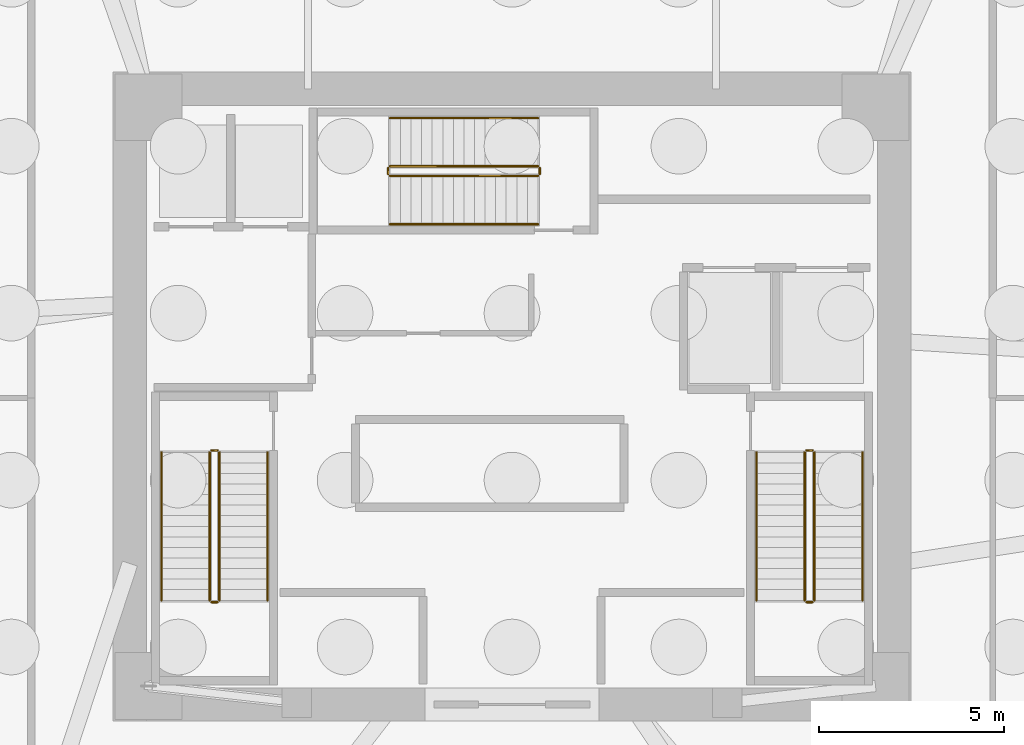
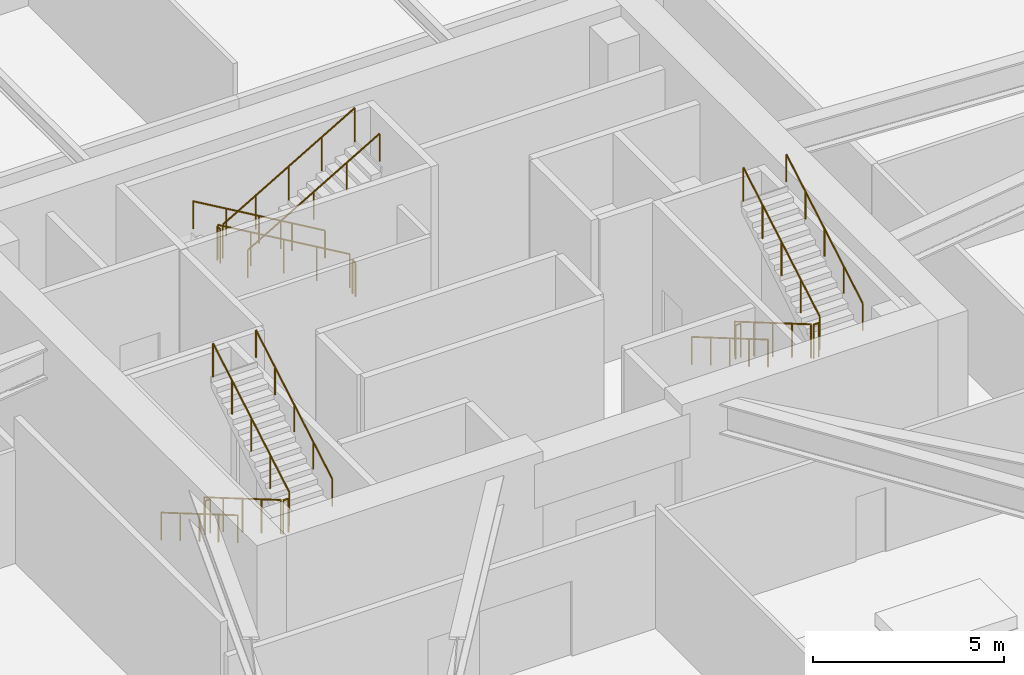
# One storey, part 7 of 8: 18 railings.
"""IFC4 building model written with IfcOpenShell, lengths in metres."""

from ifc_helpers import new_model, si_unit, direction, frame, origin, origin_2d, place, context, subcontext, project, spatial, circle, extrude, material, type_object, element, save


model = new_model("IFC4")

# Units and contexts
model_context = context("Model", 3, precision=1e-05, world=origin(), true_north=direction((0.0, 1.0)))
body_context = subcontext(model_context, "Body", "Model", "MODEL_VIEW")
ifc_project = project(units=[si_unit("LENGTHUNIT", "METRE"), si_unit("AREAUNIT", "SQUARE_METRE"), si_unit("VOLUMEUNIT", "CUBIC_METRE"), si_unit("PLANEANGLEUNIT", "RADIAN"), si_unit("MASSUNIT", "GRAM", prefix="KILO")], contexts=[model_context])

# Site, building, storey
site_placement = place(None, origin())
site = spatial("IfcSite", under=ifc_project, at=site_placement, CompositionType="ELEMENT")
building_placement = place(site_placement, origin())
building = spatial("IfcBuilding", under=site, at=building_placement, Name="Durnholm Broadcast Tower", CompositionType="ELEMENT")
storey_placement = place(building_placement, frame((0.0, 0.0, -10.0)))
storey = spatial("IfcBuildingStorey", under=building, at=storey_placement, Name="B02", CompositionType="ELEMENT", Elevation=-10.0)

# Railings
ifc_material_1 = material(Name="Painted Tubular Steel Stair Guardrail", Category="steel")
railing_type_1 = type_object("IfcRailingType", Name="RAIL-ST-GRD", PredefinedType="GUARDRAIL", material=ifc_material_1)
railing_1_placement = place(storey_placement, frame((-8.14990234375, -1.5, 0.166748046875)))
element("IfcRailing", 1, at=railing_1_placement, inside=storey, type_object=railing_type_1, Name="B02 ST-1 stair guard 1", PredefinedType="GUARDRAIL", context=body_context, shape_type="SweptSolid", body=[
    extrude(circle(Radius=0.02392578125, at=origin_2d()), frame((0.0, 0.0, 1.076171875), z_axis=(0.0, -0.863236243904, 0.504800145811), x_axis=(1.0, 0.0, 0.0)), (0.0, 0.0, 1.0), 4.6220703125),
    extrude(circle(Radius=0.02099609375, at=origin_2d()), origin(), (0.0, 0.0, 1.0), 1.052001953125),
    extrude(circle(Radius=0.02099609375, at=origin_2d()), frame((0.0, -0.99755859375, 0.583251953125)), (0.0, 0.0, 1.0), 1.052001953125),
    extrude(circle(Radius=0.02099609375, at=origin_2d()), frame((0.0, -1.9951171875, 1.16650390625)), (0.0, 0.0, 1.0), 1.052001953125),
    extrude(circle(Radius=0.02099609375, at=origin_2d()), frame((0.0, -2.992431640625, 1.75)), (0.0, 0.0, 1.0), 1.052001953125),
    extrude(circle(Radius=0.02099609375, at=origin_2d()), frame((0.0, -3.989990234375, 2.333251953125)), (0.0, 0.0, 1.0), 1.052001953125),
])
railing_2_placement = place(storey_placement, frame((-8.10009765625, -5.5400390625, 2.5)))
element("IfcRailing", 2, at=railing_2_placement, inside=storey, type_object=railing_type_1, Name="B02 ST-1 stair guard 2", PredefinedType="GUARDRAIL", context=body_context, shape_type="SweptSolid", body=[
    extrude(circle(Radius=0.02392578125, at=origin_2d()), frame((0.0, 0.0, 1.076171875), z_axis=(1.0, 0.0, 0.0), x_axis=(0.0, 1.0, 0.0)), (0.0, 0.0, 1.0), 0.16015625),
    extrude(circle(Radius=0.02099609375, at=origin_2d()), origin(), (0.0, 0.0, 1.0), 1.052001953125),
    extrude(circle(Radius=0.02099609375, at=origin_2d()), frame((0.16015625, 0.0, 0.0)), (0.0, 0.0, 1.0), 1.052001953125),
])
railing_3_placement = place(storey_placement, frame((-7.889892578125, -5.489990234375, 2.666748046875)))
element("IfcRailing", 3, at=railing_3_placement, inside=storey, type_object=railing_type_1, Name="B02 ST-1 stair guard 3", PredefinedType="GUARDRAIL", context=body_context, shape_type="SweptSolid", body=[
    extrude(circle(Radius=0.02392578125, at=origin_2d()), frame((0.0, 0.0, 1.076171875), z_axis=(0.0, 0.863236243904, 0.504800145811), x_axis=(-1.0, 0.0, 0.0)), (0.0, 0.0, 1.0), 4.6220703125),
    extrude(circle(Radius=0.02099609375, at=origin_2d()), origin(), (0.0, 0.0, 1.0), 1.052001953125),
    extrude(circle(Radius=0.02099609375, at=origin_2d()), frame((0.0, 0.99755859375, 0.583251953125)), (0.0, 0.0, 1.0), 1.052001953125),
    extrude(circle(Radius=0.02099609375, at=origin_2d()), frame((0.0, 1.9951171875, 1.16650390625)), (0.0, 0.0, 1.0), 1.052001953125),
    extrude(circle(Radius=0.02099609375, at=origin_2d()), frame((0.0, 2.992431640625, 1.75)), (0.0, 0.0, 1.0), 1.052001953125),
    extrude(circle(Radius=0.02099609375, at=origin_2d()), frame((0.0, 3.989990234375, 2.333251953125)), (0.0, 0.0, 1.0), 1.052001953125),
])
railing_4_placement = place(storey_placement, frame((-8.10009765625, -1.449951171875, 0.0)))
element("IfcRailing", 4, at=railing_4_placement, inside=storey, type_object=railing_type_1, Name="B02 ST-1 stair guard 4", PredefinedType="GUARDRAIL", context=body_context, shape_type="SweptSolid", body=[
    extrude(circle(Radius=0.02392578125, at=origin_2d()), frame((0.0, 0.0, 1.076171875), z_axis=(1.0, 0.0, 0.0), x_axis=(0.0, 1.0, 0.0)), (0.0, 0.0, 1.0), 0.16015625),
    extrude(circle(Radius=0.02099609375, at=origin_2d()), origin(), (0.0, 0.0, 1.0), 1.052001953125),
    extrude(circle(Radius=0.02099609375, at=origin_2d()), frame((0.16015625, 0.0, 0.0)), (0.0, 0.0, 1.0), 1.052001953125),
])
railing_5_placement = place(storey_placement, frame((7.889892578125, -1.5, 0.166748046875)))
element("IfcRailing", 5, at=railing_5_placement, inside=storey, type_object=railing_type_1, Name="B02 ST-2 stair guard 1", PredefinedType="GUARDRAIL", context=body_context, shape_type="SweptSolid", body=[
    extrude(circle(Radius=0.02392578125, at=origin_2d()), frame((0.0, 0.0, 1.076171875), z_axis=(0.0, -0.863236243904, 0.504800145811), x_axis=(1.0, 0.0, 0.0)), (0.0, 0.0, 1.0), 4.6220703125),
    extrude(circle(Radius=0.02099609375, at=origin_2d()), origin(), (0.0, 0.0, 1.0), 1.052001953125),
    extrude(circle(Radius=0.02099609375, at=origin_2d()), frame((0.0, -0.99755859375, 0.583251953125)), (0.0, 0.0, 1.0), 1.052001953125),
    extrude(circle(Radius=0.02099609375, at=origin_2d()), frame((0.0, -1.9951171875, 1.16650390625)), (0.0, 0.0, 1.0), 1.052001953125),
    extrude(circle(Radius=0.02099609375, at=origin_2d()), frame((0.0, -2.992431640625, 1.75)), (0.0, 0.0, 1.0), 1.052001953125),
    extrude(circle(Radius=0.02099609375, at=origin_2d()), frame((0.0, -3.989990234375, 2.333251953125)), (0.0, 0.0, 1.0), 1.052001953125),
])
railing_6_placement = place(storey_placement, frame((7.93994140625, -5.5400390625, 2.5)))
element("IfcRailing", 6, at=railing_6_placement, inside=storey, type_object=railing_type_1, Name="B02 ST-2 stair guard 2", PredefinedType="GUARDRAIL", context=body_context, shape_type="SweptSolid", body=[
    extrude(circle(Radius=0.02392578125, at=origin_2d()), frame((0.0, 0.0, 1.076171875), z_axis=(1.0, 0.0, 0.0), x_axis=(0.0, 1.0, 0.0)), (0.0, 0.0, 1.0), 0.16015625),
    extrude(circle(Radius=0.02099609375, at=origin_2d()), origin(), (0.0, 0.0, 1.0), 1.052001953125),
    extrude(circle(Radius=0.02099609375, at=origin_2d()), frame((0.16015625, 0.0, 0.0)), (0.0, 0.0, 1.0), 1.052001953125),
])
railing_7_placement = place(storey_placement, frame((8.14990234375, -5.489990234375, 2.666748046875)))
element("IfcRailing", 7, at=railing_7_placement, inside=storey, type_object=railing_type_1, Name="B02 ST-2 stair guard 3", PredefinedType="GUARDRAIL", context=body_context, shape_type="SweptSolid", body=[
    extrude(circle(Radius=0.02392578125, at=origin_2d()), frame((0.0, 0.0, 1.076171875), z_axis=(0.0, 0.863236243904, 0.504800145811), x_axis=(-1.0, 0.0, 0.0)), (0.0, 0.0, 1.0), 4.6220703125),
    extrude(circle(Radius=0.02099609375, at=origin_2d()), origin(), (0.0, 0.0, 1.0), 1.052001953125),
    extrude(circle(Radius=0.02099609375, at=origin_2d()), frame((0.0, 0.99755859375, 0.583251953125)), (0.0, 0.0, 1.0), 1.052001953125),
    extrude(circle(Radius=0.02099609375, at=origin_2d()), frame((0.0, 1.9951171875, 1.16650390625)), (0.0, 0.0, 1.0), 1.052001953125),
    extrude(circle(Radius=0.02099609375, at=origin_2d()), frame((0.0, 2.992431640625, 1.75)), (0.0, 0.0, 1.0), 1.052001953125),
    extrude(circle(Radius=0.02099609375, at=origin_2d()), frame((0.0, 3.989990234375, 2.333251953125)), (0.0, 0.0, 1.0), 1.052001953125),
])
railing_8_placement = place(storey_placement, frame((7.93994140625, -1.449951171875, 0.0)))
element("IfcRailing", 8, at=railing_8_placement, inside=storey, type_object=railing_type_1, Name="B02 ST-2 stair guard 4", PredefinedType="GUARDRAIL", context=body_context, shape_type="SweptSolid", body=[
    extrude(circle(Radius=0.02392578125, at=origin_2d()), frame((0.0, 0.0, 1.076171875), z_axis=(1.0, 0.0, 0.0), x_axis=(0.0, 1.0, 0.0)), (0.0, 0.0, 1.0), 0.16015625),
    extrude(circle(Radius=0.02099609375, at=origin_2d()), origin(), (0.0, 0.0, 1.0), 1.052001953125),
    extrude(circle(Radius=0.02099609375, at=origin_2d()), frame((0.16015625, 0.0, 0.0)), (0.0, 0.0, 1.0), 1.052001953125),
])
railing_9_placement = place(storey_placement, frame((0.699951171875, 6.2099609375, 0.166748046875)))
element("IfcRailing", 9, at=railing_9_placement, inside=storey, type_object=railing_type_1, Name="B02 ST-3 stair guard 1", PredefinedType="GUARDRAIL", context=body_context, shape_type="SweptSolid", body=[
    extrude(circle(Radius=0.02392578125, at=origin_2d()), frame((0.0, 0.0, 1.076171875), z_axis=(-0.863236243904, 0.0, 0.504800145811), x_axis=(0.0, -1.0, 0.0)), (0.0, 0.0, 1.0), 4.6220703125),
    extrude(circle(Radius=0.02099609375, at=origin_2d()), origin(), (0.0, 0.0, 1.0), 1.052001953125),
    extrude(circle(Radius=0.02099609375, at=origin_2d()), frame((-0.99755859375, 0.0, 0.583251953125)), (0.0, 0.0, 1.0), 1.052001953125),
    extrude(circle(Radius=0.02099609375, at=origin_2d()), frame((-1.9951171875, 0.0, 1.16650390625)), (0.0, 0.0, 1.0), 1.052001953125),
    extrude(circle(Radius=0.02099609375, at=origin_2d()), frame((-2.992431640625, 0.0, 1.75)), (0.0, 0.0, 1.0), 1.052001953125),
    extrude(circle(Radius=0.02099609375, at=origin_2d()), frame((-3.989990234375, 0.0, 2.333251953125)), (0.0, 0.0, 1.0), 1.052001953125),
])
railing_10_placement = place(storey_placement, frame((-3.340087890625, 6.159912109375, 2.5)))
element("IfcRailing", 10, at=railing_10_placement, inside=storey, type_object=railing_type_1, Name="B02 ST-3 stair guard 2", PredefinedType="GUARDRAIL", context=body_context, shape_type="SweptSolid", body=[
    extrude(circle(Radius=0.02392578125, at=origin_2d()), frame((0.0, 0.0, 1.076171875), z_axis=(0.0, -1.0, 0.0), x_axis=(1.0, 0.0, 0.0)), (0.0, 0.0, 1.0), 0.159912109375),
    extrude(circle(Radius=0.02099609375, at=origin_2d()), origin(), (0.0, 0.0, 1.0), 1.052001953125),
    extrude(circle(Radius=0.02099609375, at=origin_2d()), frame((0.0, -0.159912109375, 0.0)), (0.0, 0.0, 1.0), 1.052001953125),
])
railing_11_placement = place(storey_placement, frame((-3.2900390625, 5.949951171875, 2.666748046875)))
element("IfcRailing", 11, at=railing_11_placement, inside=storey, type_object=railing_type_1, Name="B02 ST-3 stair guard 3", PredefinedType="GUARDRAIL", context=body_context, shape_type="SweptSolid", body=[
    extrude(circle(Radius=0.02392578125, at=origin_2d()), frame((0.0, 0.0, 1.076171875), z_axis=(0.863236243904, 0.0, 0.504800145811), x_axis=(0.0, 1.0, 0.0)), (0.0, 0.0, 1.0), 4.6220703125),
    extrude(circle(Radius=0.02099609375, at=origin_2d()), origin(), (0.0, 0.0, 1.0), 1.052001953125),
    extrude(circle(Radius=0.02099609375, at=origin_2d()), frame((0.99755859375, 0.0, 0.583251953125)), (0.0, 0.0, 1.0), 1.052001953125),
    extrude(circle(Radius=0.02099609375, at=origin_2d()), frame((1.9951171875, 0.0, 1.16650390625)), (0.0, 0.0, 1.0), 1.052001953125),
    extrude(circle(Radius=0.02099609375, at=origin_2d()), frame((2.992431640625, 0.0, 1.75)), (0.0, 0.0, 1.0), 1.052001953125),
    extrude(circle(Radius=0.02099609375, at=origin_2d()), frame((3.989990234375, 0.0, 2.333251953125)), (0.0, 0.0, 1.0), 1.052001953125),
])
railing_12_placement = place(storey_placement, frame((0.75, 6.159912109375, 0.0)))
element("IfcRailing", 12, at=railing_12_placement, inside=storey, type_object=railing_type_1, Name="B02 ST-3 stair guard 4", PredefinedType="GUARDRAIL", context=body_context, shape_type="SweptSolid", body=[
    extrude(circle(Radius=0.02392578125, at=origin_2d()), frame((0.0, 0.0, 1.076171875), z_axis=(0.0, -1.0, 0.0), x_axis=(1.0, 0.0, 0.0)), (0.0, 0.0, 1.0), 0.159912109375),
    extrude(circle(Radius=0.02099609375, at=origin_2d()), origin(), (0.0, 0.0, 1.0), 1.052001953125),
    extrude(circle(Radius=0.02099609375, at=origin_2d()), frame((0.0, -0.159912109375, 0.0)), (0.0, 0.0, 1.0), 1.052001953125),
])
ifc_material_2 = material(Name="Brushed Stainless Steel Handrail", Category="steel")
railing_type_2 = type_object("IfcRailingType", Name="RAIL-ST-HND", PredefinedType="HANDRAIL", material=ifc_material_2)
railing_13_placement = place(storey_placement, frame((-9.449951171875, -1.5, 0.333251953125)))
element("IfcRailing", 13, at=railing_13_placement, inside=storey, type_object=railing_type_2, Name="B02 ST-1 stair handrail 1", PredefinedType="HANDRAIL", context=body_context, shape_type="SweptSolid", body=[
    extrude(circle(Radius=0.02392578125, at=origin_2d()), frame((0.0, 0.0, 0.8759765625), z_axis=(0.0, -0.86321322671, 0.50483950443), x_axis=(1.0, 0.0, 0.0)), (0.0, 0.0, 1.0), 4.622314453125),
    extrude(circle(Radius=0.02099609375, at=origin_2d()), origin(), (0.0, 0.0, 1.0), 0.851806640625),
    extrude(circle(Radius=0.02099609375, at=origin_2d()), frame((0.0, -0.99755859375, 0.58349609375)), (0.0, 0.0, 1.0), 0.851806640625),
    extrude(circle(Radius=0.02099609375, at=origin_2d()), frame((0.0, -1.9951171875, 1.166748046875)), (0.0, 0.0, 1.0), 0.851806640625),
    extrude(circle(Radius=0.02099609375, at=origin_2d()), frame((0.0, -2.992431640625, 1.75)), (0.0, 0.0, 1.0), 0.851806640625),
    extrude(circle(Radius=0.02099609375, at=origin_2d()), frame((0.0, -3.989990234375, 2.33349609375)), (0.0, 0.0, 1.0), 0.851806640625),
])
railing_14_placement = place(storey_placement, frame((-6.590087890625, -5.489990234375, 2.833251953125)))
element("IfcRailing", 14, at=railing_14_placement, inside=storey, type_object=railing_type_2, Name="B02 ST-1 stair handrail 2", PredefinedType="HANDRAIL", context=body_context, shape_type="SweptSolid", body=[
    extrude(circle(Radius=0.02392578125, at=origin_2d()), frame((0.0, 0.0, 0.8759765625), z_axis=(0.0, 0.86321322671, 0.50483950443), x_axis=(-1.0, 0.0, 0.0)), (0.0, 0.0, 1.0), 4.622314453125),
    extrude(circle(Radius=0.02099609375, at=origin_2d()), origin(), (0.0, 0.0, 1.0), 0.851806640625),
    extrude(circle(Radius=0.02099609375, at=origin_2d()), frame((0.0, 0.99755859375, 0.58349609375)), (0.0, 0.0, 1.0), 0.851806640625),
    extrude(circle(Radius=0.02099609375, at=origin_2d()), frame((0.0, 1.9951171875, 1.166748046875)), (0.0, 0.0, 1.0), 0.851806640625),
    extrude(circle(Radius=0.02099609375, at=origin_2d()), frame((0.0, 2.992431640625, 1.75)), (0.0, 0.0, 1.0), 0.851806640625),
    extrude(circle(Radius=0.02099609375, at=origin_2d()), frame((0.0, 3.989990234375, 2.33349609375)), (0.0, 0.0, 1.0), 0.851806640625),
])
railing_15_placement = place(storey_placement, frame((6.590087890625, -1.5, 0.333251953125)))
element("IfcRailing", 15, at=railing_15_placement, inside=storey, type_object=railing_type_2, Name="B02 ST-2 stair handrail 1", PredefinedType="HANDRAIL", context=body_context, shape_type="SweptSolid", body=[
    extrude(circle(Radius=0.02392578125, at=origin_2d()), frame((0.0, 0.0, 0.8759765625), z_axis=(0.0, -0.86321322671, 0.50483950443), x_axis=(1.0, 0.0, 0.0)), (0.0, 0.0, 1.0), 4.622314453125),
    extrude(circle(Radius=0.02099609375, at=origin_2d()), origin(), (0.0, 0.0, 1.0), 0.851806640625),
    extrude(circle(Radius=0.02099609375, at=origin_2d()), frame((0.0, -0.99755859375, 0.58349609375)), (0.0, 0.0, 1.0), 0.851806640625),
    extrude(circle(Radius=0.02099609375, at=origin_2d()), frame((0.0, -1.9951171875, 1.166748046875)), (0.0, 0.0, 1.0), 0.851806640625),
    extrude(circle(Radius=0.02099609375, at=origin_2d()), frame((0.0, -2.992431640625, 1.75)), (0.0, 0.0, 1.0), 0.851806640625),
    extrude(circle(Radius=0.02099609375, at=origin_2d()), frame((0.0, -3.989990234375, 2.33349609375)), (0.0, 0.0, 1.0), 0.851806640625),
])
railing_16_placement = place(storey_placement, frame((9.449951171875, -5.489990234375, 2.833251953125)))
element("IfcRailing", 16, at=railing_16_placement, inside=storey, type_object=railing_type_2, Name="B02 ST-2 stair handrail 2", PredefinedType="HANDRAIL", context=body_context, shape_type="SweptSolid", body=[
    extrude(circle(Radius=0.02392578125, at=origin_2d()), frame((0.0, 0.0, 0.8759765625), z_axis=(0.0, 0.86321322671, 0.50483950443), x_axis=(-1.0, 0.0, 0.0)), (0.0, 0.0, 1.0), 4.622314453125),
    extrude(circle(Radius=0.02099609375, at=origin_2d()), origin(), (0.0, 0.0, 1.0), 0.851806640625),
    extrude(circle(Radius=0.02099609375, at=origin_2d()), frame((0.0, 0.99755859375, 0.58349609375)), (0.0, 0.0, 1.0), 0.851806640625),
    extrude(circle(Radius=0.02099609375, at=origin_2d()), frame((0.0, 1.9951171875, 1.166748046875)), (0.0, 0.0, 1.0), 0.851806640625),
    extrude(circle(Radius=0.02099609375, at=origin_2d()), frame((0.0, 2.992431640625, 1.75)), (0.0, 0.0, 1.0), 0.851806640625),
    extrude(circle(Radius=0.02099609375, at=origin_2d()), frame((0.0, 3.989990234375, 2.33349609375)), (0.0, 0.0, 1.0), 0.851806640625),
])
railing_17_placement = place(storey_placement, frame((0.699951171875, 7.510009765625, 0.333251953125)))
element("IfcRailing", 17, at=railing_17_placement, inside=storey, type_object=railing_type_2, Name="B02 ST-3 stair handrail 1", PredefinedType="HANDRAIL", context=body_context, shape_type="SweptSolid", body=[
    extrude(circle(Radius=0.02392578125, at=origin_2d()), frame((0.0, 0.0, 0.8759765625), z_axis=(-0.86321322671, 0.0, 0.50483950443), x_axis=(0.0, -1.0, 0.0)), (0.0, 0.0, 1.0), 4.622314453125),
    extrude(circle(Radius=0.02099609375, at=origin_2d()), origin(), (0.0, 0.0, 1.0), 0.851806640625),
    extrude(circle(Radius=0.02099609375, at=origin_2d()), frame((-0.99755859375, 0.0, 0.58349609375)), (0.0, 0.0, 1.0), 0.851806640625),
    extrude(circle(Radius=0.02099609375, at=origin_2d()), frame((-1.9951171875, 0.0, 1.166748046875)), (0.0, 0.0, 1.0), 0.851806640625),
    extrude(circle(Radius=0.02099609375, at=origin_2d()), frame((-2.992431640625, 0.0, 1.75)), (0.0, 0.0, 1.0), 0.851806640625),
    extrude(circle(Radius=0.02099609375, at=origin_2d()), frame((-3.989990234375, 0.0, 2.33349609375)), (0.0, 0.0, 1.0), 0.851806640625),
])
railing_18_placement = place(storey_placement, frame((-3.2900390625, 4.64990234375, 2.833251953125)))
element("IfcRailing", 18, at=railing_18_placement, inside=storey, type_object=railing_type_2, Name="B02 ST-3 stair handrail 2", PredefinedType="HANDRAIL", context=body_context, shape_type="SweptSolid", body=[
    extrude(circle(Radius=0.02392578125, at=origin_2d()), frame((0.0, 0.0, 0.8759765625), z_axis=(0.86321322671, 0.0, 0.50483950443), x_axis=(0.0, 1.0, 0.0)), (0.0, 0.0, 1.0), 4.622314453125),
    extrude(circle(Radius=0.02099609375, at=origin_2d()), origin(), (0.0, 0.0, 1.0), 0.851806640625),
    extrude(circle(Radius=0.02099609375, at=origin_2d()), frame((0.99755859375, 0.0, 0.58349609375)), (0.0, 0.0, 1.0), 0.851806640625),
    extrude(circle(Radius=0.02099609375, at=origin_2d()), frame((1.9951171875, 0.0, 1.166748046875)), (0.0, 0.0, 1.0), 0.851806640625),
    extrude(circle(Radius=0.02099609375, at=origin_2d()), frame((2.992431640625, 0.0, 1.75)), (0.0, 0.0, 1.0), 0.851806640625),
    extrude(circle(Radius=0.02099609375, at=origin_2d()), frame((3.989990234375, 0.0, 2.33349609375)), (0.0, 0.0, 1.0), 0.851806640625),
])

save(model, "model.ifc")
